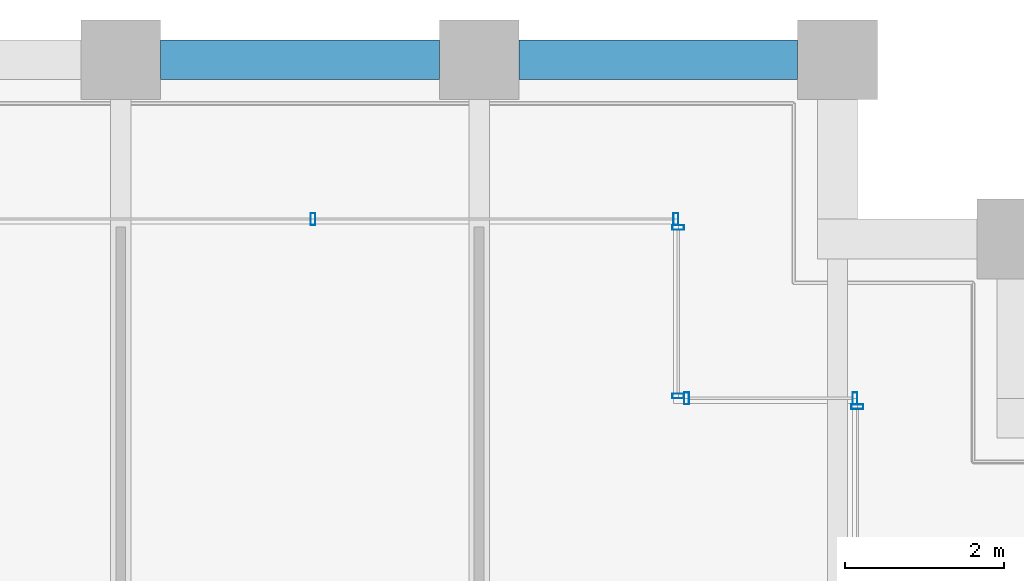
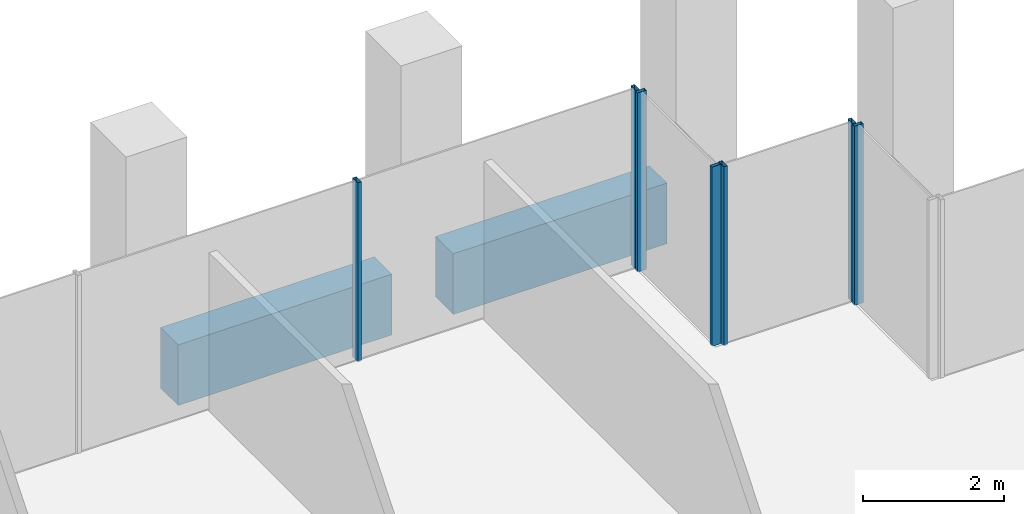
# One storey, part 26 of 46: 7 members, 2 beams, 4 elements without a shape of their own.
"""IFC4 building model written with IfcOpenShell, lengths in metres."""

import ifcopenshell
import ifcopenshell.guid

model = None  # the IFC model being written
_history = None  # IfcOwnerHistory: only IFC2X3 demands one
_inside = {}  # id of a spatial element -> (the spatial element, [elements in it])
_under = {}  # id of a project, library or spatial element -> (it, [spatial elements below it])
_declared = {}  # id of a project -> (the project, [libraries it declares])
_typed = {}  # id of a type object -> (the type object, [elements of that type])
_made_of = {}  # id of a material, layer set ... -> (it, [elements and type objects made of it])


def new_model(schema):
    """Start an empty IFC model of exactly this schema.

    Asked for "IFC4X3", IfcOpenShell would pick the latest addendum, in which some entities
    have other attributes; the version numbers below select the first issue.
    IFC2X3 requires an IfcOwnerHistory on every rooted entity: one is made here for all.
    """
    global model, _history
    if schema == "IFC4X3":
        model = ifcopenshell.file(schema_version=(4, 3, 0, 0))
    else:
        model = ifcopenshell.file(schema=schema)
    _inside.clear()
    _under.clear()
    _declared.clear()
    _typed.clear()
    _made_of.clear()
    _history = None
    if model.schema == "IFC2X3":
        org = make("IfcOrganization", Name="unknown")
        user = make(
            "IfcPersonAndOrganization",
            ThePerson=make("IfcPerson", FamilyName="unknown"),
            TheOrganization=org,
        )
        app = make(
            "IfcApplication",
            ApplicationDeveloper=org,
            Version="unknown",
            ApplicationFullName="unknown",
            ApplicationIdentifier="unknown",
        )
        _history = make(
            "IfcOwnerHistory",
            OwningUser=user,
            OwningApplication=app,
            ChangeAction="ADDED",
            CreationDate=0,
        )
    return model


def make(cls, **values):
    """One entity of the class cls with the attributes given. An attribute that is None is left unset."""
    return model.create_entity(
        cls, **{name: value for name, value in values.items() if value is not None}
    )


def rooted(cls, **values):
    """An entity with a GlobalId (a new one), such as an element, a storey or a relation."""
    return make(cls, GlobalId=ifcopenshell.guid.new(), OwnerHistory=_history, **values)


def si_unit(unit_type, name, prefix=None):
    """IfcSIUnit, for example si_unit("LENGTHUNIT", "METRE", prefix="MILLI")."""
    return make("IfcSIUnit", UnitType=unit_type, Prefix=prefix, Name=name)


def assignment(units):
    """IfcUnitAssignment: the units of a project."""
    return None if units is None else make("IfcUnitAssignment", Units=units)


def point(xyz):
    """IfcCartesianPoint."""
    return None if xyz is None else make("IfcCartesianPoint", Coordinates=xyz)


def direction(xyz):
    """IfcDirection."""
    return None if xyz is None else make("IfcDirection", DirectionRatios=xyz)


def frame(location, z_axis=None, x_axis=None):
    """IfcAxis2Placement3D, a coordinate frame: its origin and axes. An axis left out is left unset."""
    return make(
        "IfcAxis2Placement3D",
        Location=point(location),
        Axis=direction(z_axis),
        RefDirection=direction(x_axis),
    )


def frame_2d(location, x_axis=None):
    """IfcAxis2Placement2D, a coordinate frame in the plane: its origin and x axis."""
    return make(
        "IfcAxis2Placement2D", Location=point(location), RefDirection=direction(x_axis)
    )


def origin():
    """The frame at (0, 0, 0) with its axes left unset."""
    return frame((0.0, 0.0, 0.0))


def origin_2d():
    """The frame at (0, 0) in the plane with its x axis left unset."""
    return frame_2d((0.0, 0.0))


def place(relative_to, where):
    """IfcLocalPlacement: puts the frame where relative to a parent placement (None: the world)."""
    return make(
        "IfcLocalPlacement", PlacementRelTo=relative_to, RelativePlacement=where
    )


def context(
    kind, dimensions, precision=None, world=None, true_north=None, identifier=None
):
    """IfcGeometricRepresentationContext, for example the 3D "Model" context."""
    return make(
        "IfcGeometricRepresentationContext",
        ContextIdentifier=identifier,
        ContextType=kind,
        CoordinateSpaceDimension=dimensions,
        Precision=precision,
        WorldCoordinateSystem=world,
        TrueNorth=true_north,
    )


def subcontext(parent, identifier, kind, view, scale=None):
    """IfcGeometricRepresentationSubContext, for example "Body" below "Model"."""
    return make(
        "IfcGeometricRepresentationSubContext",
        ContextIdentifier=identifier,
        ContextType=kind,
        ParentContext=parent,
        TargetScale=scale,
        TargetView=view,
    )


def project(units=None, contexts=None):
    """IfcProject with its units and contexts."""
    return rooted(
        "IfcProject",
        Name="project",
        RepresentationContexts=contexts,
        UnitsInContext=assignment(units),
    )


def spatial(cls, under=None, at=None, **own):
    """A site, building, storey or space (cls), placed at a placement, below another one or the project."""
    s = rooted(cls, ObjectPlacement=at, **own)
    if under is not None:
        _under.setdefault(under.id(), (under, []))[1].append(s)
    return s


def profile(cls, at=None, kind="AREA", **sizes):
    """A parametric profile (cls). Its sizes go by their IFC names, for example OverallWidth=200.0."""
    return make(cls, ProfileType=kind, Position=at, **sizes)


def rectangle(**sizes):
    """IfcRectangleProfileDef."""
    return profile("IfcRectangleProfileDef", **sizes)


def hollow_rectangle(**sizes):
    """IfcRectangleHollowProfileDef."""
    return profile("IfcRectangleHollowProfileDef", **sizes)


def extrude(swept, where, along, depth):
    """IfcExtrudedAreaSolid: the profile swept, set in the frame where, extruded along a direction by depth."""
    return make(
        "IfcExtrudedAreaSolid",
        SweptArea=swept,
        Position=where,
        ExtrudedDirection=direction(along),
        Depth=depth,
    )


def shape(context_of_items, identifier, shape_type, items):
    """IfcShapeRepresentation: the items that make up one representation, for example the "Body"."""
    return make(
        "IfcShapeRepresentation",
        ContextOfItems=context_of_items,
        RepresentationIdentifier=identifier,
        RepresentationType=shape_type,
        Items=items,
    )


def material(Name=None, Category=None):
    """IfcMaterial."""
    return make("IfcMaterial", Name=Name, Category=Category)


def material_profile(
    of_material, cross_section, Name=None, Category=None, Priority=None
):
    """IfcMaterialProfile: a cross section and its material."""
    return make(
        "IfcMaterialProfile",
        Name=Name,
        Material=of_material,
        Profile=cross_section,
        Priority=Priority,
        Category=Category,
    )


def profile_set(profiles, Name=None, composite=None):
    """IfcMaterialProfileSet."""
    return make(
        "IfcMaterialProfileSet",
        Name=Name,
        MaterialProfiles=profiles,
        CompositeProfile=composite,
    )


def made_of(thing, what):
    """Note that an element or type object is made of a material, layer set ...; save() writes the relation."""
    if what is not None:
        _made_of.setdefault(what.id(), (what, []))[1].append(thing)
    return thing


def type_object(cls, material=None, **own):
    """A type object (cls), such as IfcWallType, which elements share."""
    return made_of(rooted(cls, **own), material)


def element(
    cls,
    number,
    at=None,
    inside=None,
    cuts=None,
    type_object=None,
    material=None,
    context=None,
    identifier="Body",
    shape_type=None,
    held_by="IfcProductDefinitionShape",
    body=None,
    shapes=None,
    **own,
):
    """One element of the class cls, such as IfcWall. Its Tag is "e" and its number.

    at: its placement. inside: the storey or other place that contains it. cuts: it is an
    opening in that element (IfcRelVoidsElement). A single representation is given by context,
    identifier, shape_type and body (its items); several are given by shapes. held_by: the class
    of the entity that holds the representations. save() writes the other relations.
    """
    e = rooted(cls, Tag="e%d" % number, ObjectPlacement=at, **own)
    if body is not None:
        shapes = [shape(context, identifier, shape_type, body)]
    if shapes is not None:
        e.Representation = make(held_by, Representations=shapes)
    if inside is not None:
        _inside.setdefault(inside.id(), (inside, []))[1].append(e)
    if cuts is not None:
        rooted(
            "IfcRelVoidsElement", RelatingBuildingElement=cuts, RelatedOpeningElement=e
        )
    if type_object is not None:
        _typed.setdefault(type_object.id(), (type_object, []))[1].append(e)
    return made_of(e, material)


def aggregate(whole, parts):
    """IfcRelAggregates: a whole, such as a stair, and the parts it consists of."""
    return rooted("IfcRelAggregates", RelatingObject=whole, RelatedObjects=parts)


def save(model, path):
    """Write the relations noted so far, then the file.

    IfcRelAggregates (storeys below a building ...), IfcRelContainedInSpatialStructure (elements
    in a storey), IfcRelDefinesByType, IfcRelAssociatesMaterial and IfcRelDeclares: one each for
    every whole, place, type object, material and project.
    """
    for whole, parts in _under.values():
        aggregate(whole, parts)
    for where, things in _inside.values():
        rooted(
            "IfcRelContainedInSpatialStructure",
            RelatedElements=things,
            RelatingStructure=where,
        )
    for kind, things in _typed.values():
        rooted("IfcRelDefinesByType", RelatedObjects=things, RelatingType=kind)
    for what, things in _made_of.values():
        rooted("IfcRelAssociatesMaterial", RelatedObjects=things, RelatingMaterial=what)
    for by, libraries in _declared.values():
        rooted("IfcRelDeclares", RelatingContext=by, RelatedDefinitions=libraries)
    model.write(path)


model = new_model("IFC4")

# Units and contexts
model_context = context("Model", 3, precision=1e-05, world=origin(), true_north=direction((0.0, 1.0)))
body_context = subcontext(model_context, "Body", "Model", "MODEL_VIEW")
ifc_project = project(units=[si_unit("LENGTHUNIT", "METRE"), si_unit("AREAUNIT", "SQUARE_METRE"), si_unit("VOLUMEUNIT", "CUBIC_METRE"), si_unit("PLANEANGLEUNIT", "RADIAN"), si_unit("MASSUNIT", "GRAM", prefix="KILO")], contexts=[model_context])

# Site, building, storey
site_placement = place(None, origin())
site = spatial("IfcSite", under=ifc_project, at=site_placement, CompositionType="ELEMENT")
building_placement = place(site_placement, origin())
building = spatial("IfcBuilding", under=site, at=building_placement, Name="Altepetl Exchange Towers", CompositionType="ELEMENT")
storey_placement = place(building_placement, frame((0.0, 0.0, 124.39990234375)))
storey = spatial("IfcBuildingStorey", under=building, at=storey_placement, Name="L30", CompositionType="ELEMENT", Elevation=124.39990234375)

# Curtain wall, member
ifc_material_1 = material(Name="Aluminium 6063-T6 glazing", Category="aluminium")
curtain_wall_type = type_object("IfcCurtainWallType", Name="Loggia glazing system", PredefinedType="NOTDEFINED", material=ifc_material_1)
curtain_wall_1_placement = place(storey_placement, origin())
curtain_wall_1 = element("IfcCurtainWall", 1, at=curtain_wall_1_placement, inside=storey, type_object=curtain_wall_type, Name="CW1 run", PredefinedType="NOTDEFINED")
ifc_material_2 = material(Name="Aluminium 6063-T6", Category="aluminium")
ifc_material_profile_1 = material_profile(ifc_material_2, hollow_rectangle(XDim=0.06005859375, YDim=0.14990234375, WallThickness=0.0029296875, at=origin_2d()), Name="Mullion 60x150 aluminium")
ifc_profile_set_1 = profile_set([ifc_material_profile_1], Name="Aluminium 6063-T6")
member_type = type_object("IfcMemberType", Name="Mullion 60x150 aluminium", PredefinedType="MULLION", material=ifc_profile_set_1)
member_1_placement = place(storey_placement, frame((67.75, 67.64501953125, 0.0), z_axis=(0.0, 0.0, 1.0), x_axis=(0.0, 1.0, 0.0)))
member_1 = element("IfcMember", 2, at=member_1_placement, type_object=member_type, Name="MU1 mullion", PredefinedType="MULLION", context=body_context, shape_type="SweptSolid", body=[
    extrude(hollow_rectangle(XDim=0.06005859375, YDim=0.14990234375, WallThickness=0.0029296875, at=origin_2d()), origin(), (0.0, 0.0, 1.0), 3.10009765625),
])
aggregate(curtain_wall_1, [member_1])

# Curtain wall, members
curtain_wall_2_placement = place(storey_placement, origin())
curtain_wall_2 = element("IfcCurtainWall", 3, at=curtain_wall_2_placement, inside=storey, type_object=curtain_wall_type, Name="CW1 run", PredefinedType="NOTDEFINED")
member_2_placement = place(storey_placement, frame((67.719970703125, 67.75, 0.0), z_axis=(0.0, 0.0, 1.0), x_axis=(-1.0, 0.0, 0.0)))
member_2 = element("IfcMember", 4, at=member_2_placement, type_object=member_type, Name="MU1 mullion", PredefinedType="MULLION", context=body_context, shape_type="SweptSolid", body=[
    extrude(hollow_rectangle(XDim=0.06005859375, YDim=0.14990234375, WallThickness=0.0029296875, at=origin_2d()), origin(), (0.0, 0.0, 1.0), 3.10009765625),
])
member_3_placement = place(storey_placement, frame((65.60498046875, 67.75, 0.0), z_axis=(0.0, 0.0, 1.0), x_axis=(-1.0, 0.0, 0.0)))
member_3 = element("IfcMember", 5, at=member_3_placement, type_object=member_type, Name="MU1 mullion", PredefinedType="MULLION", context=body_context, shape_type="SweptSolid", body=[
    extrude(hollow_rectangle(XDim=0.06005859375, YDim=0.14990234375, WallThickness=0.0029296875, at=origin_2d()), origin(), (0.0, 0.0, 1.0), 3.10009765625),
])
aggregate(curtain_wall_2, [member_2, member_3])

curtain_wall_3_placement = place(storey_placement, origin())
curtain_wall_3 = element("IfcCurtainWall", 6, at=curtain_wall_3_placement, inside=storey, type_object=curtain_wall_type, Name="CW1 run", PredefinedType="NOTDEFINED")
member_4_placement = place(storey_placement, frame((65.5, 67.780029296875, 0.0), z_axis=(0.0, 0.0, 1.0), x_axis=(0.0, 1.0, 0.0)))
member_4 = element("IfcMember", 7, at=member_4_placement, type_object=member_type, Name="MU1 mullion", PredefinedType="MULLION", context=body_context, shape_type="SweptSolid", body=[
    extrude(hollow_rectangle(XDim=0.06005859375, YDim=0.14990234375, WallThickness=0.0029296875, at=origin_2d()), origin(), (0.0, 0.0, 1.0), 3.10009765625),
])
member_5_placement = place(storey_placement, frame((65.5, 69.89501953125, 0.0), z_axis=(0.0, 0.0, 1.0), x_axis=(0.0, 1.0, 0.0)))
member_5 = element("IfcMember", 8, at=member_5_placement, type_object=member_type, Name="MU1 mullion", PredefinedType="MULLION", context=body_context, shape_type="SweptSolid", body=[
    extrude(hollow_rectangle(XDim=0.06005859375, YDim=0.14990234375, WallThickness=0.0029296875, at=origin_2d()), origin(), (0.0, 0.0, 1.0), 3.10009765625),
])
aggregate(curtain_wall_3, [member_4, member_5])

curtain_wall_4_placement = place(storey_placement, origin())
curtain_wall_4 = element("IfcCurtainWall", 9, at=curtain_wall_4_placement, inside=storey, type_object=curtain_wall_type, Name="CW1 run", PredefinedType="NOTDEFINED")
member_6_placement = place(storey_placement, frame((65.469970703125, 70.0, 0.0), z_axis=(0.0, 0.0, 1.0), x_axis=(-1.0, 0.0, 0.0)))
member_6 = element("IfcMember", 10, at=member_6_placement, type_object=member_type, Name="MU1 mullion", PredefinedType="MULLION", context=body_context, shape_type="SweptSolid", body=[
    extrude(hollow_rectangle(XDim=0.06005859375, YDim=0.14990234375, WallThickness=0.0029296875, at=origin_2d()), origin(), (0.0, 0.0, 1.0), 3.10009765625),
])
member_7_placement = place(storey_placement, frame((60.9150390625, 70.0, 0.0), z_axis=(0.0, 0.0, 1.0), x_axis=(-1.0, 0.0, 0.0)))
member_7 = element("IfcMember", 11, at=member_7_placement, type_object=member_type, Name="MU1 mullion", PredefinedType="MULLION", context=body_context, shape_type="SweptSolid", body=[
    extrude(hollow_rectangle(XDim=0.06005859375, YDim=0.14990234375, WallThickness=0.0029296875, at=origin_2d()), origin(), (0.0, 0.0, 1.0), 3.10009765625),
])
aggregate(curtain_wall_4, [member_6, member_7])

# Beams
ifc_material_3 = material(Name="Concrete C50/60 precast with cantera rosa facing", Category="concrete")
ifc_material_profile_2 = material_profile(ifc_material_3, rectangle(XDim=0.5, YDim=1.050048828125, at=origin_2d()), Name="500 x 1050")
ifc_profile_set_2 = profile_set([ifc_material_profile_2], Name="Concrete C50/60 precast with cantera rosa facing")
beam_type = type_object("IfcBeamType", Name="Spandrel beam 500x1050 cantera rosa", PredefinedType="SPANDREL", material=ifc_profile_set_2)
for number, where, z_axis, x_axis, name in (
    (12, (67.0, 72.0, -0.6748046875), (-1.0, 0.0, 0.0), (0.0, -1.0, 0.0), "sp:A:L30:024"),
    (13, (62.5, 72.0, -0.6748046875), (-1.0, 0.0, 0.0), (0.0, -1.0, 0.0), "sp:A:L30:025"),
):
    element("IfcBeam", number, at=place(storey_placement, frame(where, z_axis=z_axis, x_axis=x_axis)), inside=storey, type_object=beam_type, Name=name, PredefinedType="SPANDREL", context=body_context, shape_type="SweptSolid", body=[
        extrude(rectangle(XDim=0.5, YDim=1.050048828125, at=origin_2d()), origin(), (0.0, 0.0, 1.0), 3.5),
    ])

save(model, "model.ifc")
